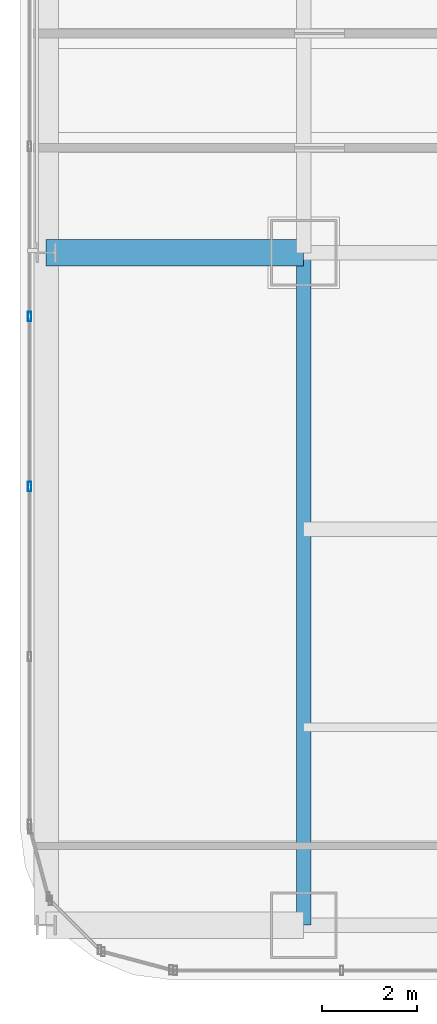
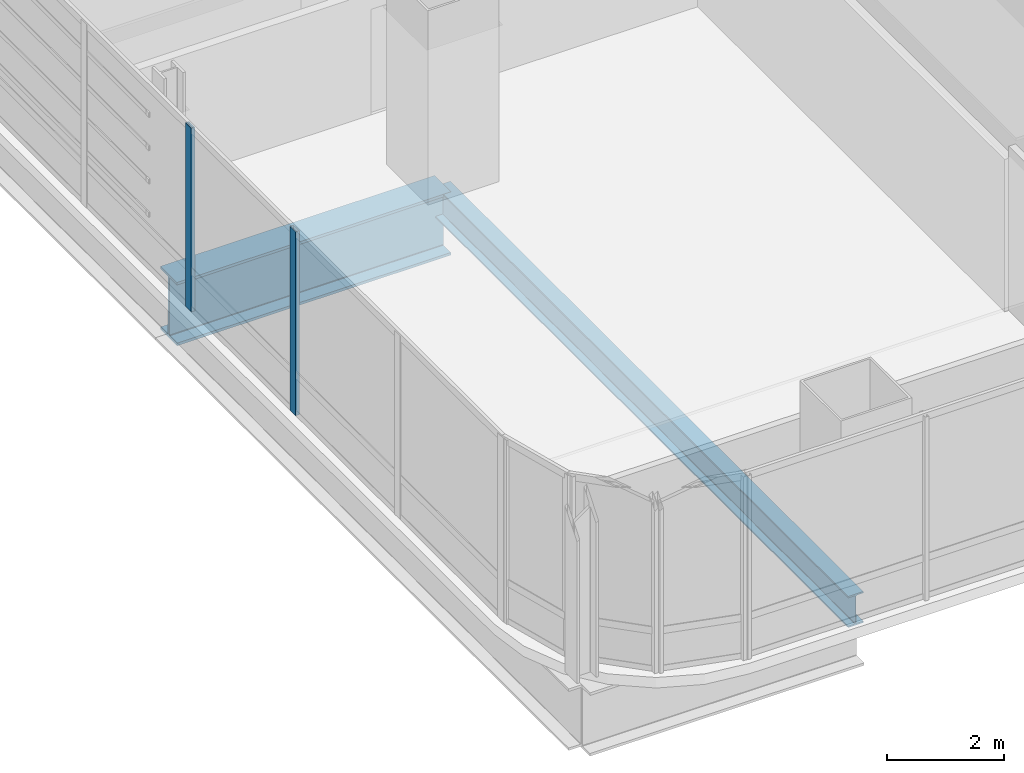
# One storey, part 5 of 38: 2 beams, 2 members, 1 element without a shape of its own.
"""IFC4 building model written with IfcOpenShell, lengths in metres."""

from ifc_helpers import new_model, si_unit, direction, frame, origin, origin_2d, place, context, subcontext, project, spatial, hollow_rectangle, i_section, extrude, material, material_profile, profile_set, type_object, element, aggregate, save


model = new_model("IFC4")

# Units and contexts
model_context = context("Model", 3, precision=1e-05, world=origin(), true_north=direction((0.0, 1.0)))
body_context = subcontext(model_context, "Body", "Model", "MODEL_VIEW")
ifc_project = project(units=[si_unit("LENGTHUNIT", "METRE"), si_unit("AREAUNIT", "SQUARE_METRE"), si_unit("VOLUMEUNIT", "CUBIC_METRE"), si_unit("PLANEANGLEUNIT", "RADIAN"), si_unit("MASSUNIT", "GRAM", prefix="KILO")], contexts=[model_context])

# Site, building, storey
site_placement = place(None, origin())
site = spatial("IfcSite", under=ifc_project, at=site_placement, CompositionType="ELEMENT")
building_placement = place(site_placement, origin())
building = spatial("IfcBuilding", under=site, at=building_placement, Name="Punatoya Terracotta Tower", CompositionType="ELEMENT")
storey_placement = place(building_placement, frame((0.0, 0.0, 151.949951171875)))
storey = spatial("IfcBuildingStorey", under=building, at=storey_placement, Name="L35", CompositionType="ELEMENT", Elevation=151.949951171875)

# Beams
ifc_material_1 = material(Name="Steel S355", Category="steel")
ifc_material_profile_1 = material_profile(ifc_material_1, i_section(OverallWidth=0.300048828125, OverallDepth=0.64990234375, WebThickness=0.01611328125, FlangeThickness=0.031005859375, FilletRadius=0.01806640625, at=origin_2d()))
ifc_profile_set_1 = profile_set([ifc_material_profile_1], Name="Steel S355")
beam_type_1 = type_object("IfcBeamType", Name="BM-PRI-650", PredefinedType="BEAM", material=ifc_profile_set_1)
beam_1_placement = place(storey_placement, frame((-19.10009765625, -17.5, -0.544921875), z_axis=(0.0, 1.0, 0.0), x_axis=(-1.0, 0.0, 0.0)))
element("IfcBeam", 1, at=beam_1_placement, inside=storey, type_object=beam_type_1, Name="BM-L35-RG-W1", PredefinedType="BEAM", context=body_context, shape_type="SweptSolid", body=[
    extrude(i_section(OverallWidth=0.300048828125, OverallDepth=0.64990234375, WebThickness=0.01611328125, FlangeThickness=0.031005859375, FilletRadius=0.01806640625, at=origin_2d()), origin(), (0.0, 0.0, 1.0), 14.10009765625),
])
ifc_material_2 = material(Name="Steel S460", Category="steel")
ifc_material_profile_2 = material_profile(ifc_material_2, i_section(OverallWidth=0.56005859375, OverallDepth=1.320068359375, WebThickness=0.035888671875, FlangeThickness=0.054931640625, FilletRadius=0.01806640625, at=origin_2d()))
ifc_profile_set_2 = profile_set([ifc_material_profile_2], Name="Steel S460")
beam_type_2 = type_object("IfcBeamType", Name="BM-TG-BLK", PredefinedType="BEAM", material=ifc_profile_set_2)
beam_2_placement = place(storey_placement, frame((-24.5, -3.39990234375, -0.8798828125), z_axis=(1.0, 0.0, 0.0), x_axis=(0.0, 1.0, 0.0)))
element("IfcBeam", 2, at=beam_2_placement, inside=storey, type_object=beam_type_2, Name="BM-L35-CANT-W2", PredefinedType="BEAM", context=body_context, shape_type="SweptSolid", body=[
    extrude(i_section(OverallWidth=0.56005859375, OverallDepth=1.320068359375, WebThickness=0.035888671875, FlangeThickness=0.054931640625, FilletRadius=0.01806640625, at=origin_2d()), origin(), (0.0, 0.0, 1.0), 5.39990234375),
])

# Curtain wall, members
ifc_material_3 = material(Name="Aluminium 6063-T6 + Double Low-E Glass", Category="aluminium")
curtain_wall_type = type_object("IfcCurtainWallType", Name="CW-M2", PredefinedType="NOTDEFINED", material=ifc_material_3)
curtain_wall_placement = place(storey_placement, origin())
curtain_wall = element("IfcCurtainWall", 3, at=curtain_wall_placement, inside=storey, type_object=curtain_wall_type, Name="L35 Curtain Wall CW-L35-W13-1", PredefinedType="NOTDEFINED")
ifc_material_4 = material(Name="Aluminium 6063-T6", Category="aluminium")
ifc_material_profile_3 = material_profile(ifc_material_4, hollow_rectangle(XDim=0.072021484375, YDim=0.195068359375, WallThickness=0.00439453125, at=origin_2d()))
ifc_profile_set_3 = profile_set([ifc_material_profile_3], Name="Aluminium 6063-T6")
member_type = type_object("IfcMemberType", Name="CW-MUL-M2", PredefinedType="MULLION", material=ifc_profile_set_3)
member_1_placement = place(storey_placement, frame((-24.85009765625, -4.73486328125, 0.0), z_axis=(0.0, 0.0, 1.0), x_axis=(1.0, 0.0, 0.0)))
member_1 = element("IfcMember", 4, at=member_1_placement, type_object=member_type, Name="CW-L35-W13-1 Mullion 07", PredefinedType="MULLION", context=body_context, shape_type="SweptSolid", body=[
    extrude(hollow_rectangle(XDim=0.072021484375, YDim=0.195068359375, WallThickness=0.00439453125, at=origin_2d()), origin(), (0.0, 0.0, 1.0), 3.830078125),
])
member_2_placement = place(storey_placement, frame((-24.85009765625, -8.302001953125, 0.0), z_axis=(0.0, 0.0, 1.0), x_axis=(1.0, 0.0, 0.0)))
member_2 = element("IfcMember", 5, at=member_2_placement, type_object=member_type, Name="CW-L35-W13-1 Mullion 08", PredefinedType="MULLION", context=body_context, shape_type="SweptSolid", body=[
    extrude(hollow_rectangle(XDim=0.072021484375, YDim=0.195068359375, WallThickness=0.00439453125, at=origin_2d()), origin(), (0.0, 0.0, 1.0), 3.830078125),
])
aggregate(curtain_wall, [member_1, member_2])

save(model, "model.ifc")
